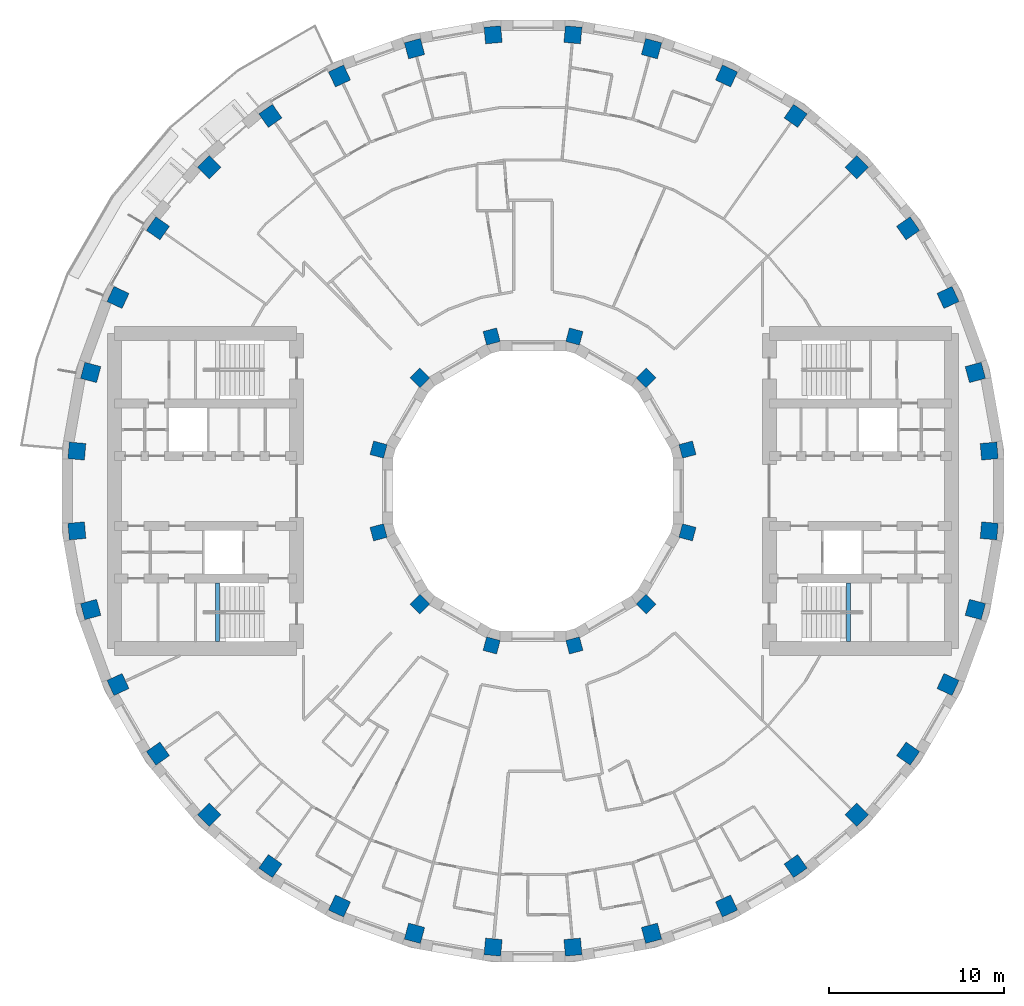
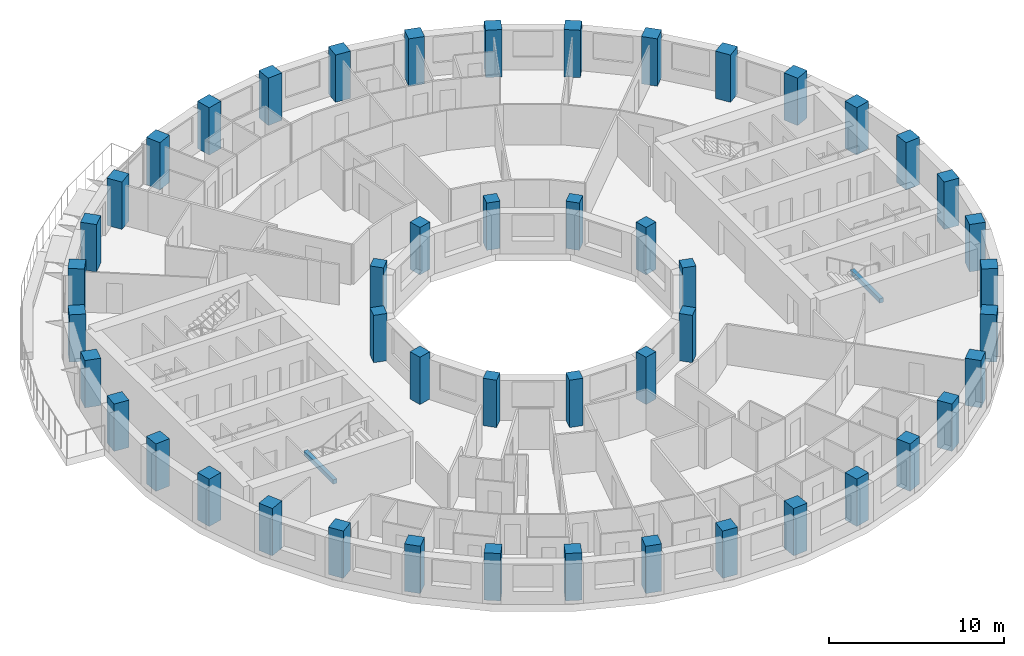
# One storey, part 1 of 14: 48 columns, 2 beams.
"""IFC4 building model written with IfcOpenShell, lengths in metres."""

from ifc_helpers import new_model, si_unit, direction, frame, origin, origin_2d, place, context, subcontext, project, spatial, rectangle, extrude, material, material_profile, profile_set, type_object, element, save


model = new_model("IFC4")

# Units and contexts
model_context = context("Model", 3, precision=1e-05, world=origin(), true_north=direction((0.0, 1.0)))
body_context = subcontext(model_context, "Body", "Model", "MODEL_VIEW")
ifc_project = project(units=[si_unit("LENGTHUNIT", "METRE"), si_unit("AREAUNIT", "SQUARE_METRE"), si_unit("VOLUMEUNIT", "CUBIC_METRE"), si_unit("PLANEANGLEUNIT", "RADIAN"), si_unit("MASSUNIT", "GRAM", prefix="KILO")], contexts=[model_context])

# Site, building, storey
site_placement = place(None, origin())
site = spatial("IfcSite", under=ifc_project, at=site_placement, CompositionType="ELEMENT")
building_placement = place(site_placement, origin())
building = spatial("IfcBuilding", under=site, at=building_placement, Name="Saqina Gate Tower", CompositionType="ELEMENT")
storey_placement = place(building_placement, frame((0.0, 0.0, 105.10009765625)))
storey = spatial("IfcBuildingStorey", under=building, at=storey_placement, Name="L29", CompositionType="ELEMENT", Elevation=105.10009765625)

# Columns
ifc_material_1 = material(Name="Concrete C70/85", Category="concrete")
ifc_material_profile_1 = material_profile(ifc_material_1, rectangle(XDim=0.800048828125, YDim=0.800048828125, at=origin_2d()), Name="RC 800x800")
ifc_profile_set_1 = profile_set([ifc_material_profile_1], Name="Concrete C70/85")
column_type_1 = type_object("IfcColumnType", Name="STR-COL-IN-B", PredefinedType="COLUMN", material=ifc_profile_set_1)
for number, where, z_axis, x_axis, name in (
    (1, (8.821044921875, 2.363525390625, 0.0), (0.0, 0.0, 1.0), (0.965925826289, 0.258819045103, 0.0), "L29-ICL01"),
    (2, (6.45751953125, 6.45751953125, 0.0), (0.0, 0.0, 1.0), (0.707106781187, 0.707106781187, 0.0), "L29-ICL02"),
    (3, (2.363525390625, 8.821044921875, 0.0), (0.0, 0.0, 1.0), (0.258819045103, 0.965925826289, 0.0), "L29-ICL03"),
    (4, (-2.363525390625, 8.821044921875, 0.0), (0.0, 0.0, 1.0), (-0.258819045103, 0.965925826289, 0.0), "L29-ICL04"),
    (5, (-6.45751953125, 6.45751953125, 0.0), (0.0, 0.0, 1.0), (-0.707106781187, 0.707106781187, 0.0), "L29-ICL05"),
    (6, (-8.821044921875, 2.363525390625, 0.0), (0.0, 0.0, 1.0), (-0.965925826289, 0.258819045103, 0.0), "L29-ICL06"),
    (7, (-8.821044921875, -2.363525390625, 0.0), (0.0, 0.0, 1.0), (-0.965925826289, -0.258819045103, 0.0), "L29-ICL07"),
    (8, (-6.45751953125, -6.45751953125, 0.0), (0.0, 0.0, 1.0), (-0.707106781187, -0.707106781187, 0.0), "L29-ICL08"),
    (9, (-2.363525390625, -8.821044921875, 0.0), (0.0, 0.0, 1.0), (-0.258819045103, -0.965925826289, 0.0), "L29-ICL09"),
    (10, (2.363525390625, -8.821044921875, 0.0), (0.0, 0.0, 1.0), (0.258819045103, -0.965925826289, 0.0), "L29-ICL10"),
    (11, (6.45751953125, -6.45751953125, 0.0), (0.0, 0.0, 1.0), (0.707106781187, -0.707106781187, 0.0), "L29-ICL11"),
    (12, (8.821044921875, -2.363525390625, 0.0), (0.0, 0.0, 1.0), (0.965925826289, -0.258819045103, 0.0), "L29-ICL12"),
):
    element("IfcColumn", number, at=place(storey_placement, frame(where, z_axis=z_axis, x_axis=x_axis)), inside=storey, type_object=column_type_1, Name=name, PredefinedType="COLUMN", context=body_context, shape_type="SweptSolid", body=[
        extrude(rectangle(XDim=0.800048828125, YDim=0.800048828125, at=origin_2d()), origin(), (0.0, 0.0, 1.0), 3.2998046875),
    ])
ifc_material_2 = material(Name="Concrete C70/85", Category="concrete")
ifc_material_profile_2 = material_profile(ifc_material_2, rectangle(XDim=0.949951171875, YDim=0.949951171875, at=origin_2d()), Name="RC 950x950")
ifc_profile_set_2 = profile_set([ifc_material_profile_2], Name="Concrete C70/85")
column_type_2 = type_object("IfcColumnType", Name="STR-COL-OUT-B", PredefinedType="COLUMN", material=ifc_profile_set_2)
for number, where, z_axis, x_axis, name in (
    (13, (26.050537109375, 2.279052734375, 0.0), (0.0, 0.0, 1.0), (0.996194698092, 0.087155742748, 0.0), "L29-COL01"),
    (14, (25.259033203125, 6.76806640625, 0.0), (0.0, 0.0, 1.0), (0.965925826289, 0.258819045103, 0.0), "L29-COL02"),
    (15, (23.699951171875, 11.051513671875, 0.0), (0.0, 0.0, 1.0), (0.906307787037, 0.422618261741, 0.0), "L29-COL03"),
    (16, (21.4208984375, 14.9990234375, 0.0), (0.0, 0.0, 1.0), (0.819152044289, 0.573576436351, 0.0), "L29-COL04"),
    (17, (18.49072265625, 18.49072265625, 0.0), (0.0, 0.0, 1.0), (0.707106781187, 0.707106781187, 0.0), "L29-COL05"),
    (18, (14.9990234375, 21.4208984375, 0.0), (0.0, 0.0, 1.0), (0.573576436351, 0.819152044289, 0.0), "L29-COL06"),
    (19, (11.051513671875, 23.699951171875, 0.0), (0.0, 0.0, 1.0), (0.422618261741, 0.906307787037, 0.0), "L29-COL07"),
    (20, (6.76806640625, 25.259033203125, 0.0), (0.0, 0.0, 1.0), (0.258819045103, 0.965925826289, 0.0), "L29-COL08"),
    (21, (2.279052734375, 26.050537109375, 0.0), (0.0, 0.0, 1.0), (0.087155742748, 0.996194698092, 0.0), "L29-COL09"),
    (22, (-2.279052734375, 26.050537109375, 0.0), (0.0, 0.0, 1.0), (-0.087155742748, 0.996194698092, 0.0), "L29-COL10"),
    (23, (-6.76806640625, 25.259033203125, 0.0), (0.0, 0.0, 1.0), (-0.258819045103, 0.965925826289, 0.0), "L29-COL11"),
    (24, (-11.051513671875, 23.699951171875, 0.0), (0.0, 0.0, 1.0), (-0.422618261741, 0.906307787037, 0.0), "L29-COL12"),
    (25, (-14.9990234375, 21.4208984375, 0.0), (0.0, 0.0, 1.0), (-0.573576436351, 0.819152044289, 0.0), "L29-COL13"),
    (26, (-18.49072265625, 18.49072265625, 0.0), (0.0, 0.0, 1.0), (-0.707106781187, 0.707106781187, 0.0), "L29-COL14"),
    (27, (-21.4208984375, 14.9990234375, 0.0), (0.0, 0.0, 1.0), (-0.819152044289, 0.573576436351, 0.0), "L29-COL15"),
    (28, (-23.699951171875, 11.051513671875, 0.0), (0.0, 0.0, 1.0), (-0.906307787037, 0.422618261741, 0.0), "L29-COL16"),
    (29, (-25.259033203125, 6.76806640625, 0.0), (0.0, 0.0, 1.0), (-0.965925826289, 0.258819045103, 0.0), "L29-COL17"),
    (30, (-26.050537109375, 2.279052734375, 0.0), (0.0, 0.0, 1.0), (-0.996194698092, 0.087155742748, 0.0), "L29-COL18"),
    (31, (-26.050537109375, -2.279052734375, 0.0), (0.0, 0.0, 1.0), (-0.996194698092, -0.087155742748, 0.0), "L29-COL19"),
    (32, (-25.259033203125, -6.76806640625, 0.0), (0.0, 0.0, 1.0), (-0.965925826289, -0.258819045103, 0.0), "L29-COL20"),
    (33, (-23.699951171875, -11.051513671875, 0.0), (0.0, 0.0, 1.0), (-0.906307787037, -0.422618261741, 0.0), "L29-COL21"),
    (34, (-21.4208984375, -14.9990234375, 0.0), (0.0, 0.0, 1.0), (-0.819152044289, -0.573576436351, 0.0), "L29-COL22"),
    (35, (-18.49072265625, -18.49072265625, 0.0), (0.0, 0.0, 1.0), (-0.707106781187, -0.707106781187, 0.0), "L29-COL23"),
    (36, (-14.9990234375, -21.4208984375, 0.0), (0.0, 0.0, 1.0), (-0.573576436351, -0.819152044289, 0.0), "L29-COL24"),
    (37, (-11.051513671875, -23.699951171875, 0.0), (0.0, 0.0, 1.0), (-0.422618261741, -0.906307787037, 0.0), "L29-COL25"),
    (38, (-6.76806640625, -25.259033203125, 0.0), (0.0, 0.0, 1.0), (-0.258819045103, -0.965925826289, 0.0), "L29-COL26"),
    (39, (-2.279052734375, -26.050537109375, 0.0), (0.0, 0.0, 1.0), (-0.087155742748, -0.996194698092, 0.0), "L29-COL27"),
    (40, (2.279052734375, -26.050537109375, 0.0), (0.0, 0.0, 1.0), (0.087155742748, -0.996194698092, 0.0), "L29-COL28"),
    (41, (6.76806640625, -25.259033203125, 0.0), (0.0, 0.0, 1.0), (0.258819045103, -0.965925826289, 0.0), "L29-COL29"),
    (42, (11.051513671875, -23.699951171875, 0.0), (0.0, 0.0, 1.0), (0.422618261741, -0.906307787037, 0.0), "L29-COL30"),
    (43, (14.9990234375, -21.4208984375, 0.0), (0.0, 0.0, 1.0), (0.573576436351, -0.819152044289, 0.0), "L29-COL31"),
    (44, (18.49072265625, -18.49072265625, 0.0), (0.0, 0.0, 1.0), (0.707106781187, -0.707106781187, 0.0), "L29-COL32"),
    (45, (21.4208984375, -14.9990234375, 0.0), (0.0, 0.0, 1.0), (0.819152044289, -0.573576436351, 0.0), "L29-COL33"),
    (46, (23.699951171875, -11.051513671875, 0.0), (0.0, 0.0, 1.0), (0.906307787037, -0.422618261741, 0.0), "L29-COL34"),
    (47, (25.259033203125, -6.76806640625, 0.0), (0.0, 0.0, 1.0), (0.965925826289, -0.258819045103, 0.0), "L29-COL35"),
    (48, (26.050537109375, -2.279052734375, 0.0), (0.0, 0.0, 1.0), (0.996194698092, -0.087155742748, 0.0), "L29-COL36"),
):
    element("IfcColumn", number, at=place(storey_placement, frame(where, z_axis=z_axis, x_axis=x_axis)), inside=storey, type_object=column_type_2, Name=name, PredefinedType="COLUMN", context=body_context, shape_type="SweptSolid", body=[
        extrude(rectangle(XDim=0.949951171875, YDim=0.949951171875, at=origin_2d()), origin(), (0.0, 0.0, 1.0), 3.2998046875),
    ])

# Beams
ifc_material_3 = material(Name="Concrete C40/50", Category="concrete")
ifc_material_profile_3 = material_profile(ifc_material_3, rectangle(XDim=0.25, YDim=0.300048828125, at=origin_2d()), Name="STAIR LANDING BEAM")
ifc_profile_set_3 = profile_set([ifc_material_profile_3], Name="Concrete C40/50")
beam_type = type_object("IfcBeamType", Name="STAIR LANDING BEAM", PredefinedType="BEAM", material=ifc_profile_set_3)
for number, where, z_axis, x_axis, name in (
    (49, (18.02001953125, -8.60009765625, 1.25), (0.0, 1.0, 0.0), (-1.0, 0.0, 0.0), "EXIT STAIR 2 LANDING BEAM"),
    (50, (-18.02001953125, -8.60009765625, 1.25), (0.0, 1.0, 0.0), (-1.0, 0.0, 0.0), "EXIT STAIR 4 LANDING BEAM"),
):
    element("IfcBeam", number, at=place(storey_placement, frame(where, z_axis=z_axis, x_axis=x_axis)), inside=storey, type_object=beam_type, Name=name, PredefinedType="BEAM", context=body_context, shape_type="SweptSolid", body=[
        extrude(rectangle(XDim=0.25, YDim=0.300048828125, at=origin_2d()), origin(), (0.0, 0.0, 1.0), 3.35009765625),
    ])

save(model, "model.ifc")
